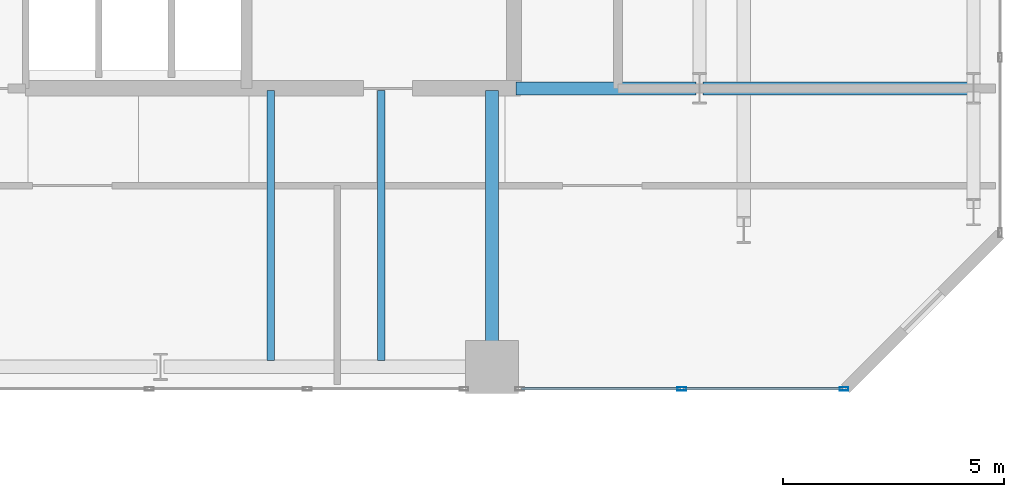
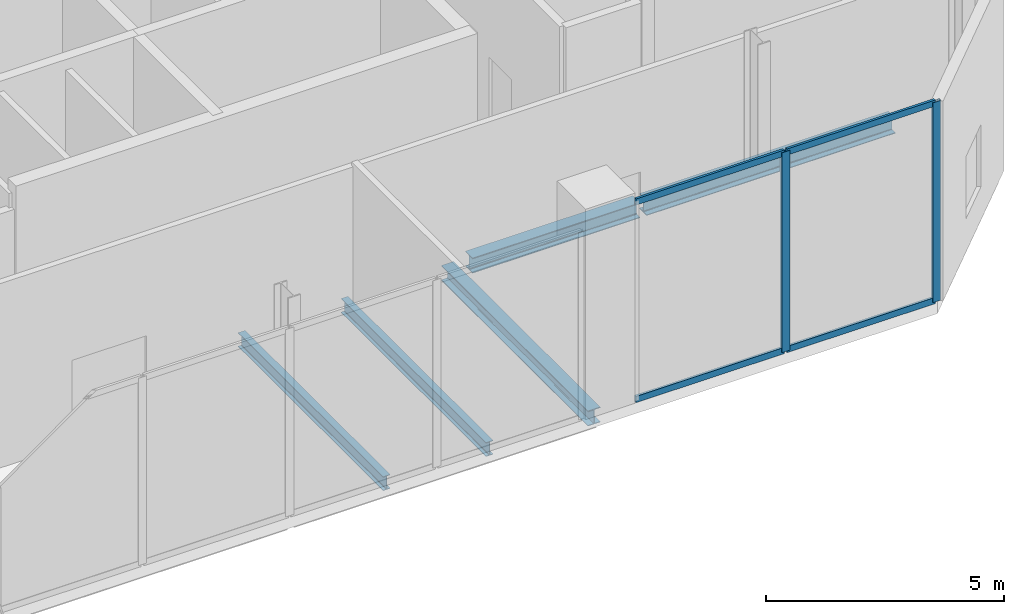
# One storey, part 10 of 18: 6 members, 5 beams, 1 element without a shape of its own.
"""IFC4 building model written with IfcOpenShell, lengths in metres."""

from ifc_helpers import new_model, si_unit, direction, frame, origin, origin_2d, place, context, subcontext, project, spatial, hollow_rectangle, i_section, extrude, material, layer, layer_set, material_profile, profile_set, type_object, element, aggregate, save


model = new_model("IFC4")

# Units and contexts
model_context = context("Model", 3, precision=1e-05, world=origin(), true_north=direction((0.0, 1.0)))
body_context = subcontext(model_context, "Body", "Model", "MODEL_VIEW")
ifc_project = project(units=[si_unit("LENGTHUNIT", "METRE"), si_unit("AREAUNIT", "SQUARE_METRE"), si_unit("VOLUMEUNIT", "CUBIC_METRE"), si_unit("PLANEANGLEUNIT", "RADIAN"), si_unit("MASSUNIT", "GRAM", prefix="KILO")], contexts=[model_context])

# Site, building, storey
site_placement = place(None, origin())
site = spatial("IfcSite", under=ifc_project, at=site_placement, CompositionType="ELEMENT")
building_placement = place(site_placement, origin())
building = spatial("IfcBuilding", under=site, at=building_placement, Name="Catumbela Crestline Tower", CompositionType="ELEMENT")
storey_placement = place(building_placement, frame((0.0, 0.0, 148.8)))
storey = spatial("IfcBuildingStorey", under=building, at=storey_placement, Name="L38", CompositionType="ELEMENT", Elevation=148.8)

# Beams
ifc_material_1 = material(Name="Structural steel S355J2", Category="steel")
ifc_material_profile_1 = material_profile(ifc_material_1, i_section(OverallWidth=0.3, OverallDepth=0.39, WebThickness=0.011, FlangeThickness=0.019, FilletRadius=0.027, at=origin_2d()), Name="HEA 400")
ifc_profile_set_1 = profile_set([ifc_material_profile_1], Name="Structural steel S355J2")
beam_type_1 = type_object("IfcBeamType", Name="BG-HEA400", PredefinedType="BEAM", material=ifc_profile_set_1)
beam_1_placement = place(storey_placement, frame((40.05, 30.8, -0.545), z_axis=(1.0, 0.0, 0.0), x_axis=(0.0, 1.0, 0.0)))
element("IfcBeam", 1, at=beam_1_placement, inside=storey, type_object=beam_type_1, Name="L38 Beam BM-L38-M08", PredefinedType="BEAM", context=body_context, shape_type="SweptSolid", body=[
    extrude(i_section(OverallWidth=0.3, OverallDepth=0.39, WebThickness=0.011, FlangeThickness=0.019, FilletRadius=0.027, at=origin_2d()), origin(), (0.0, 0.0, 1.0), 4.07),
])
beam_2_placement = place(storey_placement, frame((44.28, 30.8, -0.545), z_axis=(1.0, 0.0, 0.0), x_axis=(0.0, 1.0, 0.0)))
element("IfcBeam", 2, at=beam_2_placement, inside=storey, type_object=beam_type_1, Name="L38 Beam BM-L38-M09", PredefinedType="BEAM", context=body_context, shape_type="SweptSolid", body=[
    extrude(i_section(OverallWidth=0.3, OverallDepth=0.39, WebThickness=0.011, FlangeThickness=0.019, FilletRadius=0.027, at=origin_2d()), origin(), (0.0, 0.0, 1.0), 6.04),
])
beam_3_placement = place(storey_placement, frame((39.5, 24.58, -0.545), z_axis=(0.0, 1.0, 0.0), x_axis=(-1.0, 0.0, 0.0)))
element("IfcBeam", 3, at=beam_3_placement, inside=storey, type_object=beam_type_1, Name="L38 Beam BM-L38-SNS20", PredefinedType="BEAM", context=body_context, shape_type="SweptSolid", body=[
    extrude(i_section(OverallWidth=0.3, OverallDepth=0.39, WebThickness=0.011, FlangeThickness=0.019, FilletRadius=0.027, at=origin_2d()), origin(), (0.0, 0.0, 1.0), 6.17),
])
ifc_material_profile_2 = material_profile(ifc_material_1, i_section(OverallWidth=0.17, OverallDepth=0.36, WebThickness=0.008, FlangeThickness=0.0127, FilletRadius=0.018, at=origin_2d()), Name="IPE 360")
ifc_profile_set_2 = profile_set([ifc_material_profile_2], Name="Structural steel S355J2")
beam_type_2 = type_object("IfcBeamType", Name="BJ-IPE360", PredefinedType="JOIST", material=ifc_profile_set_2)
for number, where, z_axis, x_axis, name in (
    (4, (34.5, 24.647, -0.53), (0.0, 1.0, 0.0), (-1.0, 0.0, 0.0), "L38 Joist JS-L38-SP30"),
    (5, (37.0, 24.647, -0.53), (0.0, 1.0, 0.0), (-1.0, 0.0, 0.0), "L38 Joist JS-L38-SP31"),
):
    element("IfcBeam", number, at=place(storey_placement, frame(where, z_axis=z_axis, x_axis=x_axis)), inside=storey, type_object=beam_type_2, Name=name, PredefinedType="JOIST", context=body_context, shape_type="SweptSolid", body=[
        extrude(i_section(OverallWidth=0.17, OverallDepth=0.36, WebThickness=0.008, FlangeThickness=0.0127, FilletRadius=0.018, at=origin_2d()), origin(), (0.0, 0.0, 1.0), 6.103),
    ])

# Curtain wall, members
ifc_material_2 = material(Name="Aluminium alloy AW-6060-T66", Category="aluminium")
ifc_layer = layer(ifc_material_2, 0.18, Name="Aluminium alloy AW-6060-T66")
ifc_layer_set = layer_set([ifc_layer], Name="Aluminium alloy AW-6060-T66")
curtain_wall_type = type_object("IfcCurtainWallType", Name="CWU-SKY", PredefinedType="USERDEFINED", material=ifc_layer_set)
curtain_wall_placement = place(storey_placement, origin())
curtain_wall = element("IfcCurtainWall", 6, at=curtain_wall_placement, inside=storey, type_object=curtain_wall_type, Name="L38 Unitised Curtain Wall CW-L38-E3S2", ObjectType="UNITISED", PredefinedType="USERDEFINED")
ifc_material_profile_3 = material_profile(ifc_material_2, hollow_rectangle(XDim=0.075, YDim=0.2, WallThickness=0.005, at=origin_2d()), Name="ALU 200x75x5")
ifc_profile_set_3 = profile_set([ifc_material_profile_3], Name="Aluminium alloy AW-6060-T66")
member_type_1 = type_object("IfcMemberType", Name="MUL-200X75", PredefinedType="MULLION", material=ifc_profile_set_3)
member_1_placement = place(storey_placement, frame((43.8, 24.0, 0.0), z_axis=(0.0, 0.0, 1.0), x_axis=(0.0, 1.0, 0.0)))
member_1 = element("IfcMember", 7, at=member_1_placement, type_object=member_type_1, Name="CWU-SKY mullion 2", PredefinedType="MULLION", context=body_context, shape_type="SweptSolid", body=[
    extrude(hollow_rectangle(XDim=0.075, YDim=0.2, WallThickness=0.005, at=origin_2d()), origin(), (0.0, 0.0, 1.0), 5.13),
])
member_2_placement = place(storey_placement, frame((47.4675, 24.0, 0.0), z_axis=(0.0, 0.0, 1.0), x_axis=(0.0, 1.0, 0.0)))
member_2 = element("IfcMember", 8, at=member_2_placement, type_object=member_type_1, Name="CWU-SKY mullion 3", PredefinedType="MULLION", context=body_context, shape_type="SweptSolid", body=[
    extrude(hollow_rectangle(XDim=0.075, YDim=0.2, WallThickness=0.005, at=origin_2d()), origin(), (0.0, 0.0, 1.0), 5.13),
])
ifc_material_profile_4 = material_profile(ifc_material_2, hollow_rectangle(XDim=0.06, YDim=0.16, WallThickness=0.004, at=origin_2d()), Name="ALU 160x60x4")
ifc_profile_set_4 = profile_set([ifc_material_profile_4], Name="Aluminium alloy AW-6060-T66")
member_type_2 = type_object("IfcMemberType", Name="TRN-160X60", PredefinedType="USERDEFINED", material=ifc_profile_set_4)
member_3_placement = place(storey_placement, frame((40.165, 24.0, 0.03), z_axis=(1.0, 0.0, 0.0), x_axis=(0.0, 1.0, 0.0)))
member_3 = element("IfcMember", 9, at=member_3_placement, type_object=member_type_2, Name="CWU-SKY transom 1.1", ObjectType="TRANSOM", PredefinedType="USERDEFINED", context=body_context, shape_type="SweptSolid", body=[
    extrude(hollow_rectangle(XDim=0.06, YDim=0.16, WallThickness=0.004, at=origin_2d()), origin(), (0.0, 0.0, 1.0), 3.6025),
])
member_4_placement = place(storey_placement, frame((40.165, 24.0, 5.1), z_axis=(1.0, 0.0, 0.0), x_axis=(0.0, 1.0, 0.0)))
member_4 = element("IfcMember", 10, at=member_4_placement, type_object=member_type_2, Name="CWU-SKY transom 1.2", ObjectType="TRANSOM", PredefinedType="USERDEFINED", context=body_context, shape_type="SweptSolid", body=[
    extrude(hollow_rectangle(XDim=0.06, YDim=0.16, WallThickness=0.004, at=origin_2d()), origin(), (0.0, 0.0, 1.0), 3.6025),
])
member_5_placement = place(storey_placement, frame((43.8325, 24.0, 0.03), z_axis=(1.0, 0.0, 0.0), x_axis=(0.0, 1.0, 0.0)))
member_5 = element("IfcMember", 11, at=member_5_placement, type_object=member_type_2, Name="CWU-SKY transom 2.1", ObjectType="TRANSOM", PredefinedType="USERDEFINED", context=body_context, shape_type="SweptSolid", body=[
    extrude(hollow_rectangle(XDim=0.06, YDim=0.16, WallThickness=0.004, at=origin_2d()), origin(), (0.0, 0.0, 1.0), 3.6025),
])
member_6_placement = place(storey_placement, frame((43.8325, 24.0, 5.1), z_axis=(1.0, 0.0, 0.0), x_axis=(0.0, 1.0, 0.0)))
member_6 = element("IfcMember", 12, at=member_6_placement, type_object=member_type_2, Name="CWU-SKY transom 2.2", ObjectType="TRANSOM", PredefinedType="USERDEFINED", context=body_context, shape_type="SweptSolid", body=[
    extrude(hollow_rectangle(XDim=0.06, YDim=0.16, WallThickness=0.004, at=origin_2d()), origin(), (0.0, 0.0, 1.0), 3.6025),
])
aggregate(curtain_wall, [member_1, member_2, member_3, member_4, member_5, member_6])

save(model, "model.ifc")
